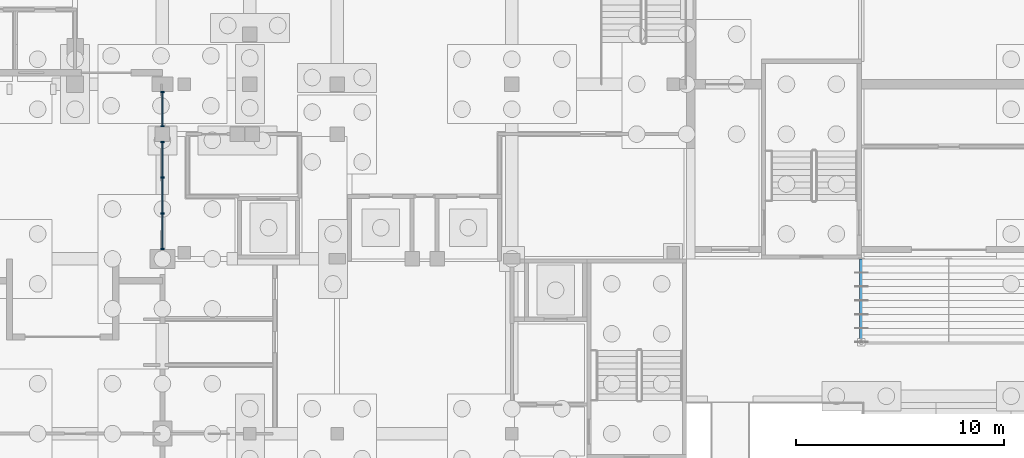
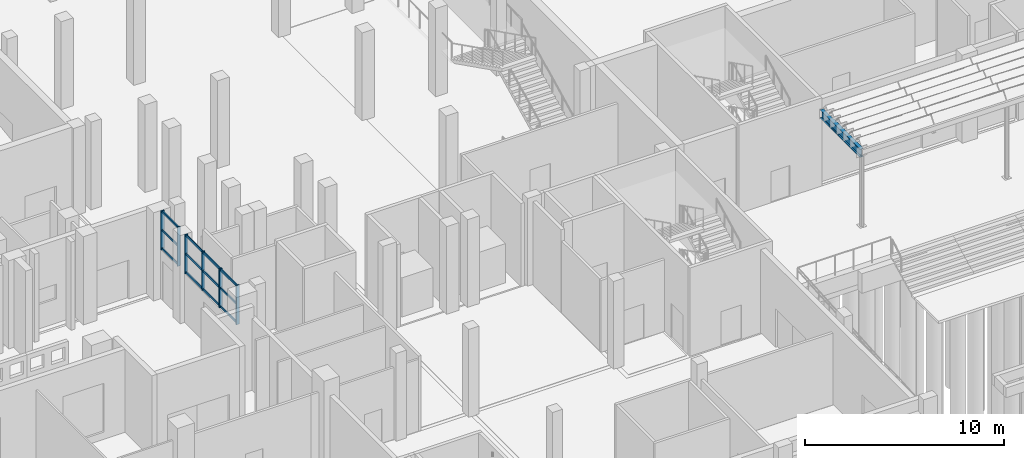
# One storey, part 18 of 129: 18 members, 1 beam, 2 elements without a shape of their own.
"""IFC4 building model written with IfcOpenShell, lengths in metres."""

from ifc_helpers import new_model, si_unit, direction, frame, origin, origin_2d, place, context, subcontext, project, spatial, rectangle, i_section, extrude, material, layer, layer_set, material_profile, profile_set, type_object, element, aggregate, save


model = new_model("IFC4")

# Units and contexts
model_context = context("Model", 3, precision=1e-05, world=origin(), true_north=direction((0.0, 1.0)))
body_context = subcontext(model_context, "Body", "Model", "MODEL_VIEW")
ifc_project = project(units=[si_unit("LENGTHUNIT", "METRE"), si_unit("AREAUNIT", "SQUARE_METRE"), si_unit("VOLUMEUNIT", "CUBIC_METRE"), si_unit("PLANEANGLEUNIT", "RADIAN"), si_unit("MASSUNIT", "GRAM", prefix="KILO")], contexts=[model_context])

# Site, building, storey
site_placement = place(None, origin())
site = spatial("IfcSite", under=ifc_project, at=site_placement, CompositionType="ELEMENT")
building_placement = place(site_placement, origin())
building = spatial("IfcBuilding", under=site, at=building_placement, Name="Kiln Court Media Centre", CompositionType="ELEMENT")
storey_placement = place(building_placement, origin())
storey = spatial("IfcBuildingStorey", under=building, at=storey_placement, Name="L00", CompositionType="ELEMENT", Elevation=0.0)

# Curtain wall, members
ifc_material_1 = material(Name="Aluminium 6063-T6", Category="aluminium")
ifc_layer = layer(ifc_material_1, 0.1201171875)
ifc_layer_set = layer_set([ifc_layer], Name="Aluminium stick curtain wall, gallery")
curtain_wall_type = type_object("IfcCurtainWallType", Name="Aluminium stick curtain wall, gallery", PredefinedType="USERDEFINED", material=ifc_layer_set)
curtain_wall_1_placement = place(storey_placement, origin())
curtain_wall_1 = element("IfcCurtainWall", 1, at=curtain_wall_1_placement, inside=storey, type_object=curtain_wall_type, Name="Foyer west glazing L00", ObjectType="STICK CURTAIN WALL", PredefinedType="USERDEFINED")
ifc_material_2 = material(Name="Aluminium 6063-T6", Category="aluminium")
ifc_material_profile_1 = material_profile(ifc_material_2, rectangle(XDim=0.06005859375, YDim=0.179931640625, at=origin_2d()), Name="Aluminium hall mullion 60x180")
ifc_profile_set_1 = profile_set([ifc_material_profile_1], Name="Aluminium 6063-T6")
member_type_1 = type_object("IfcMemberType", Name="Aluminium hall mullion 60x180", PredefinedType="MULLION", material=ifc_profile_set_1)
member_1_placement = place(storey_placement, frame((33.60009765625, 25.679931640625, 3.0), z_axis=(0.0, 0.0, 1.0), x_axis=(0.0, 1.0, 0.0)))
member_1 = element("IfcMember", 2, at=member_1_placement, type_object=member_type_1, Name="CW0-64 mullion 1", PredefinedType="MULLION", context=body_context, shape_type="SweptSolid", body=[
    extrude(rectangle(XDim=0.06005859375, YDim=0.179931640625, at=origin_2d()), origin(), (0.0, 0.0, 1.0), 2.39990234375),
])
member_2_placement = place(storey_placement, frame((33.60009765625, 27.383544921875, 3.0), z_axis=(0.0, 0.0, 1.0), x_axis=(0.0, 1.0, 0.0)))
member_2 = element("IfcMember", 3, at=member_2_placement, type_object=member_type_1, Name="CW0-64 mullion 2", PredefinedType="MULLION", context=body_context, shape_type="SweptSolid", body=[
    extrude(rectangle(XDim=0.06005859375, YDim=0.179931640625, at=origin_2d()), origin(), (0.0, 0.0, 1.0), 2.39990234375),
])
member_3_placement = place(storey_placement, frame((33.60009765625, 29.117431640625, 3.0), z_axis=(0.0, 0.0, 1.0), x_axis=(0.0, 1.0, 0.0)))
member_3 = element("IfcMember", 4, at=member_3_placement, type_object=member_type_1, Name="CW0-64 mullion 3", PredefinedType="MULLION", context=body_context, shape_type="SweptSolid", body=[
    extrude(rectangle(XDim=0.06005859375, YDim=0.179931640625, at=origin_2d()), origin(), (0.0, 0.0, 1.0), 2.39990234375),
])
member_4_placement = place(storey_placement, frame((33.60009765625, 30.821044921875, 3.0), z_axis=(0.0, 0.0, 1.0), x_axis=(0.0, 1.0, 0.0)))
member_4 = element("IfcMember", 5, at=member_4_placement, type_object=member_type_1, Name="CW0-64 mullion 4", PredefinedType="MULLION", context=body_context, shape_type="SweptSolid", body=[
    extrude(rectangle(XDim=0.06005859375, YDim=0.179931640625, at=origin_2d()), origin(), (0.0, 0.0, 1.0), 2.39990234375),
])

curtain_wall_2_placement = place(storey_placement, origin())
curtain_wall_2 = element("IfcCurtainWall", 6, at=curtain_wall_2_placement, inside=storey, type_object=curtain_wall_type, Name="Foyer west glazing L00", ObjectType="STICK CURTAIN WALL", PredefinedType="USERDEFINED")
member_5_placement = place(storey_placement, frame((33.60009765625, 31.5810546875, 3.0), z_axis=(0.0, 0.0, 1.0), x_axis=(0.0, 1.0, 0.0)))
member_5 = element("IfcMember", 7, at=member_5_placement, type_object=member_type_1, Name="CW0-65 mullion 1", PredefinedType="MULLION", context=body_context, shape_type="SweptSolid", body=[
    extrude(rectangle(XDim=0.06005859375, YDim=0.179931640625, at=origin_2d()), origin(), (0.0, 0.0, 1.0), 2.39990234375),
])
member_6_placement = place(storey_placement, frame((33.60009765625, 33.219970703125, 3.0), z_axis=(0.0, 0.0, 1.0), x_axis=(0.0, 1.0, 0.0)))
member_6 = element("IfcMember", 8, at=member_6_placement, type_object=member_type_1, Name="CW0-65 mullion 2", PredefinedType="MULLION", context=body_context, shape_type="SweptSolid", body=[
    extrude(rectangle(XDim=0.06005859375, YDim=0.179931640625, at=origin_2d()), origin(), (0.0, 0.0, 1.0), 2.39990234375),
])

# Member
ifc_material_3 = material(Name="Aluminium 6063-T6", Category="aluminium")
ifc_material_profile_2 = material_profile(ifc_material_3, rectangle(XDim=0.06005859375, YDim=0.139892578125, at=origin_2d()), Name="Aluminium hall transom 60x140")
ifc_profile_set_2 = profile_set([ifc_material_profile_2], Name="Aluminium 6063-T6")
member_type_2 = type_object("IfcMemberType", Name="Aluminium hall transom 60x140", PredefinedType="USERDEFINED", material=ifc_profile_set_2)
member_7_placement = place(storey_placement, frame((33.60009765625, 25.7099609375, 3.070068359375), z_axis=(0.0, 1.0, 0.0), x_axis=(-1.0, 0.0, 0.0)))
member_7 = element("IfcMember", 9, at=member_7_placement, type_object=member_type_2, Name="CW0-64 transom 1.1", ObjectType="TRANSOM", PredefinedType="USERDEFINED", context=body_context, shape_type="SweptSolid", body=[
    extrude(rectangle(XDim=0.06005859375, YDim=0.139892578125, at=origin_2d()), origin(), (0.0, 0.0, 1.0), 1.643798828125),
])

member_8_placement = place(storey_placement, frame((33.60009765625, 25.7099609375, 4.199951171875), z_axis=(0.0, 1.0, 0.0), x_axis=(-1.0, 0.0, 0.0)))
member_8 = element("IfcMember", 10, at=member_8_placement, type_object=member_type_2, Name="CW0-64 transom 1.2", ObjectType="TRANSOM", PredefinedType="USERDEFINED", context=body_context, shape_type="SweptSolid", body=[
    extrude(rectangle(XDim=0.06005859375, YDim=0.139892578125, at=origin_2d()), origin(), (0.0, 0.0, 1.0), 1.643798828125),
])

member_9_placement = place(storey_placement, frame((33.60009765625, 25.7099609375, 5.330078125), z_axis=(0.0, 1.0, 0.0), x_axis=(-1.0, 0.0, 0.0)))
member_9 = element("IfcMember", 11, at=member_9_placement, type_object=member_type_2, Name="CW0-64 transom 1.3", ObjectType="TRANSOM", PredefinedType="USERDEFINED", context=body_context, shape_type="SweptSolid", body=[
    extrude(rectangle(XDim=0.06005859375, YDim=0.139892578125, at=origin_2d()), origin(), (0.0, 0.0, 1.0), 1.643798828125),
])

member_10_placement = place(storey_placement, frame((33.60009765625, 27.41357421875, 3.070068359375), z_axis=(0.0, 1.0, 0.0), x_axis=(-1.0, 0.0, 0.0)))
member_10 = element("IfcMember", 12, at=member_10_placement, type_object=member_type_2, Name="CW0-64 transom 2.1", ObjectType="TRANSOM", PredefinedType="USERDEFINED", context=body_context, shape_type="SweptSolid", body=[
    extrude(rectangle(XDim=0.06005859375, YDim=0.139892578125, at=origin_2d()), origin(), (0.0, 0.0, 1.0), 1.673828125),
])

member_11_placement = place(storey_placement, frame((33.60009765625, 27.41357421875, 4.199951171875), z_axis=(0.0, 1.0, 0.0), x_axis=(-1.0, 0.0, 0.0)))
member_11 = element("IfcMember", 13, at=member_11_placement, type_object=member_type_2, Name="CW0-64 transom 2.2", ObjectType="TRANSOM", PredefinedType="USERDEFINED", context=body_context, shape_type="SweptSolid", body=[
    extrude(rectangle(XDim=0.06005859375, YDim=0.139892578125, at=origin_2d()), origin(), (0.0, 0.0, 1.0), 1.673828125),
])

member_12_placement = place(storey_placement, frame((33.60009765625, 27.41357421875, 5.330078125), z_axis=(0.0, 1.0, 0.0), x_axis=(-1.0, 0.0, 0.0)))
member_12 = element("IfcMember", 14, at=member_12_placement, type_object=member_type_2, Name="CW0-64 transom 2.3", ObjectType="TRANSOM", PredefinedType="USERDEFINED", context=body_context, shape_type="SweptSolid", body=[
    extrude(rectangle(XDim=0.06005859375, YDim=0.139892578125, at=origin_2d()), origin(), (0.0, 0.0, 1.0), 1.673828125),
])

member_13_placement = place(storey_placement, frame((33.60009765625, 29.147216796875, 3.070068359375), z_axis=(0.0, 1.0, 0.0), x_axis=(-1.0, 0.0, 0.0)))
member_13 = element("IfcMember", 15, at=member_13_placement, type_object=member_type_2, Name="CW0-64 transom 3.1", ObjectType="TRANSOM", PredefinedType="USERDEFINED", context=body_context, shape_type="SweptSolid", body=[
    extrude(rectangle(XDim=0.06005859375, YDim=0.139892578125, at=origin_2d()), origin(), (0.0, 0.0, 1.0), 1.643798828125),
])

member_14_placement = place(storey_placement, frame((33.60009765625, 29.147216796875, 4.199951171875), z_axis=(0.0, 1.0, 0.0), x_axis=(-1.0, 0.0, 0.0)))
member_14 = element("IfcMember", 16, at=member_14_placement, type_object=member_type_2, Name="CW0-64 transom 3.2", ObjectType="TRANSOM", PredefinedType="USERDEFINED", context=body_context, shape_type="SweptSolid", body=[
    extrude(rectangle(XDim=0.06005859375, YDim=0.139892578125, at=origin_2d()), origin(), (0.0, 0.0, 1.0), 1.643798828125),
])

member_15_placement = place(storey_placement, frame((33.60009765625, 29.147216796875, 5.330078125), z_axis=(0.0, 1.0, 0.0), x_axis=(-1.0, 0.0, 0.0)))
member_15 = element("IfcMember", 17, at=member_15_placement, type_object=member_type_2, Name="CW0-64 transom 3.3", ObjectType="TRANSOM", PredefinedType="USERDEFINED", context=body_context, shape_type="SweptSolid", body=[
    extrude(rectangle(XDim=0.06005859375, YDim=0.139892578125, at=origin_2d()), origin(), (0.0, 0.0, 1.0), 1.643798828125),
])

aggregate(curtain_wall_1, [member_1, member_2, member_3, member_4, member_7, member_8, member_9, member_10, member_11, member_12, member_13, member_14, member_15])

member_16_placement = place(storey_placement, frame((33.60009765625, 31.611083984375, 3.070068359375), z_axis=(0.0, 1.0, 0.0), x_axis=(-1.0, 0.0, 0.0)))
member_16 = element("IfcMember", 18, at=member_16_placement, type_object=member_type_2, Name="CW0-65 transom 1.1", ObjectType="TRANSOM", PredefinedType="USERDEFINED", context=body_context, shape_type="SweptSolid", body=[
    extrude(rectangle(XDim=0.06005859375, YDim=0.139892578125, at=origin_2d()), origin(), (0.0, 0.0, 1.0), 1.578857421875),
])

member_17_placement = place(storey_placement, frame((33.60009765625, 31.611083984375, 4.199951171875), z_axis=(0.0, 1.0, 0.0), x_axis=(-1.0, 0.0, 0.0)))
member_17 = element("IfcMember", 19, at=member_17_placement, type_object=member_type_2, Name="CW0-65 transom 1.2", ObjectType="TRANSOM", PredefinedType="USERDEFINED", context=body_context, shape_type="SweptSolid", body=[
    extrude(rectangle(XDim=0.06005859375, YDim=0.139892578125, at=origin_2d()), origin(), (0.0, 0.0, 1.0), 1.578857421875),
])

member_18_placement = place(storey_placement, frame((33.60009765625, 31.611083984375, 5.330078125), z_axis=(0.0, 1.0, 0.0), x_axis=(-1.0, 0.0, 0.0)))
member_18 = element("IfcMember", 20, at=member_18_placement, type_object=member_type_2, Name="CW0-65 transom 1.3", ObjectType="TRANSOM", PredefinedType="USERDEFINED", context=body_context, shape_type="SweptSolid", body=[
    extrude(rectangle(XDim=0.06005859375, YDim=0.139892578125, at=origin_2d()), origin(), (0.0, 0.0, 1.0), 1.578857421875),
])

aggregate(curtain_wall_2, [member_5, member_6, member_16, member_17, member_18])

# Beam
ifc_material_4 = material(Name="Steel ASTM A572 Gr 50", Category="steel")
ifc_material_profile_3 = material_profile(ifc_material_4, i_section(OverallWidth=0.199951171875, OverallDepth=0.5, WebThickness=0.01025390625, FlangeThickness=0.01611328125, FilletRadius=0.02099609375, at=origin_2d()), Name="IPE 500")
ifc_profile_set_3 = profile_set([ifc_material_profile_3], Name="Steel ASTM A572 Gr 50")
beam_type = type_object("IfcBeamType", Name="Steel ASTM A572 Gr 50 IPE 500 canopy beam", PredefinedType="BEAM", material=ifc_profile_set_3)
beam_placement = place(storey_placement, frame((67.199951171875, 21.199951171875, 4.449951171875), z_axis=(0.0, 1.0, 0.0), x_axis=(-1.0, 0.0, 0.0)))
element("IfcBeam", 21, at=beam_placement, inside=storey, type_object=beam_type, Name="canopy rib 1 canopy beam", PredefinedType="BEAM", context=body_context, shape_type="SweptSolid", body=[
    extrude(i_section(OverallWidth=0.199951171875, OverallDepth=0.5, WebThickness=0.01025390625, FlangeThickness=0.01611328125, FilletRadius=0.02099609375, at=origin_2d()), origin(), (0.0, 0.0, 1.0), 4.001953125),
])

save(model, "model.ifc")
